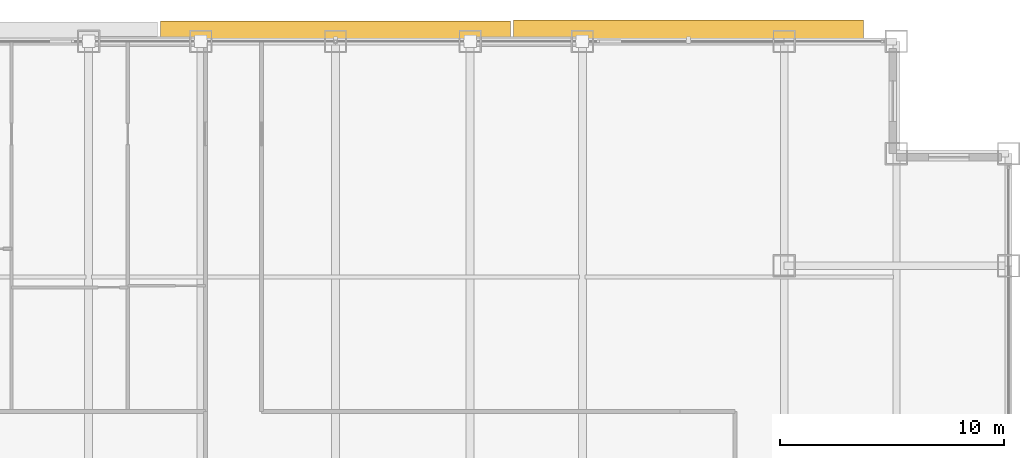
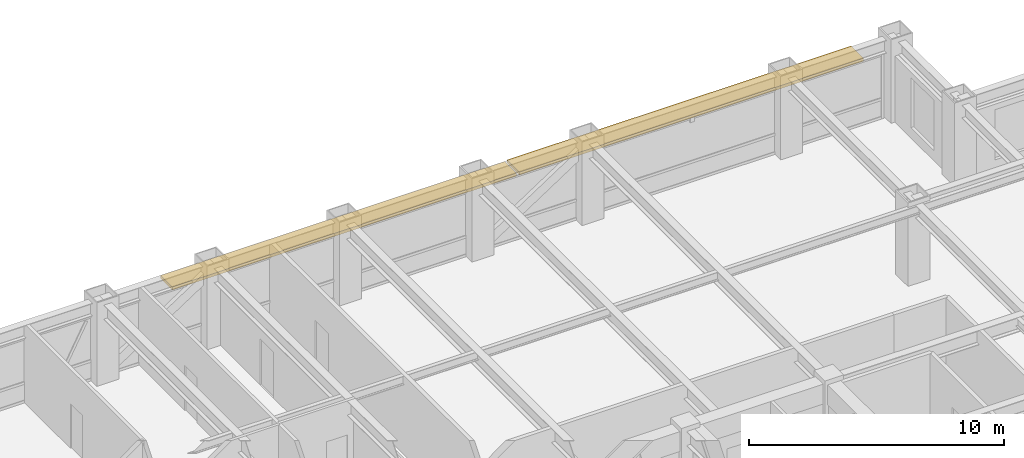
# One storey, part 29 of 29: 2 shading devices.
"""IFC4 building model written with IfcOpenShell, lengths in metres."""

from ifc_helpers import new_model, si_unit, direction, frame, origin, origin_2d, place, context, subcontext, project, spatial, rectangle, extrude, source, transform, mapped, material, layer, layer_set, type_object, element, save


model = new_model("IFC4")

# Units and contexts
model_context = context("Model", 3, precision=1e-05, world=origin(), true_north=direction((0.0, 1.0)))
body_context = subcontext(model_context, "Body", "Model", "MODEL_VIEW")
ifc_project = project(units=[si_unit("LENGTHUNIT", "METRE"), si_unit("AREAUNIT", "SQUARE_METRE"), si_unit("VOLUMEUNIT", "CUBIC_METRE"), si_unit("PLANEANGLEUNIT", "RADIAN"), si_unit("MASSUNIT", "GRAM", prefix="KILO")], contexts=[model_context])

# Site, building, storey
site_placement = place(None, origin())
site = spatial("IfcSite", under=ifc_project, at=site_placement, CompositionType="ELEMENT")
building_placement = place(site_placement, origin())
building = spatial("IfcBuilding", under=site, at=building_placement, Name="Khorayat Bourse Tower", CompositionType="ELEMENT")
storey_placement = place(building_placement, frame((0.0, 0.0, 239.10009765625)))
storey = spatial("IfcBuildingStorey", under=building, at=storey_placement, Name="L56", CompositionType="ELEMENT", Elevation=239.10009765625)

# Shading devices
ifc_material = material(Name="Precast concrete C45/55", Category="concrete")
ifc_layer = layer(ifc_material, 0.139892578125)
ifc_layer_set = layer_set([ifc_layer], Name="Precast concrete C45/55")
shading_device_type = type_object("IfcShadingDeviceType", Name="SHD-WAVE-TRAY-A", PredefinedType="USERDEFINED", material=ifc_layer_set)
shared_shape_1 = source(origin(), body_context, "Body", "SweptSolid", [
    extrude(rectangle(XDim=15.59326171875, YDim=0.925048828125, at=origin_2d()), origin(), (0.0, 0.0, 1.0), 0.139892578125),
])
shading_device_1_placement = place(storey_placement, frame((0.0, 30.4423828125, 3.02978515625), z_axis=(0.0, 0.0, 1.0), x_axis=(1.0, 0.0, 0.0)))
element("IfcShadingDevice", 1, at=shading_device_1_placement, inside=storey, type_object=shading_device_type, Name="L56 Sinusoidal Wave Sunshade Tray N-2", ObjectType="SUNSHADE", PredefinedType="USERDEFINED", context=body_context, shape_type="MappedRepresentation", body=[
    mapped(shared_shape_1, transform((0.0, 0.0, 0.0), scale=1.0)),
])
shared_shape_2 = source(origin(), body_context, "Body", "SweptSolid", [
    extrude(rectangle(XDim=15.59326171875, YDim=0.974609375, at=origin_2d()), origin(), (0.0, 0.0, 1.0), 0.139892578125),
])
shading_device_2_placement = place(storey_placement, frame((15.7333984375, 30.46728515625, 3.02978515625), z_axis=(0.0, 0.0, 1.0), x_axis=(1.0, 0.0, 0.0)))
element("IfcShadingDevice", 2, at=shading_device_2_placement, inside=storey, type_object=shading_device_type, Name="L56 Sinusoidal Wave Sunshade Tray N-3", ObjectType="SUNSHADE", PredefinedType="USERDEFINED", context=body_context, shape_type="MappedRepresentation", body=[
    mapped(shared_shape_2, transform((0.0, 0.0, 0.0), scale=1.0)),
])

save(model, "model.ifc")
